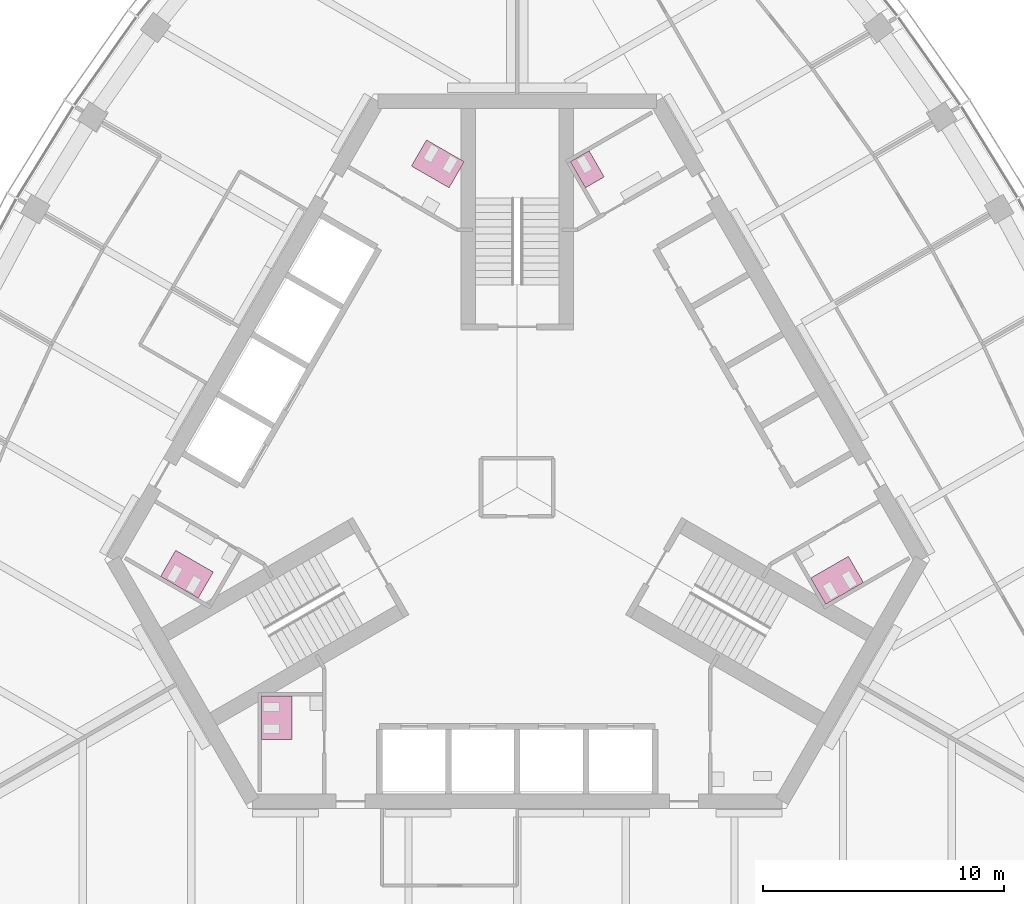
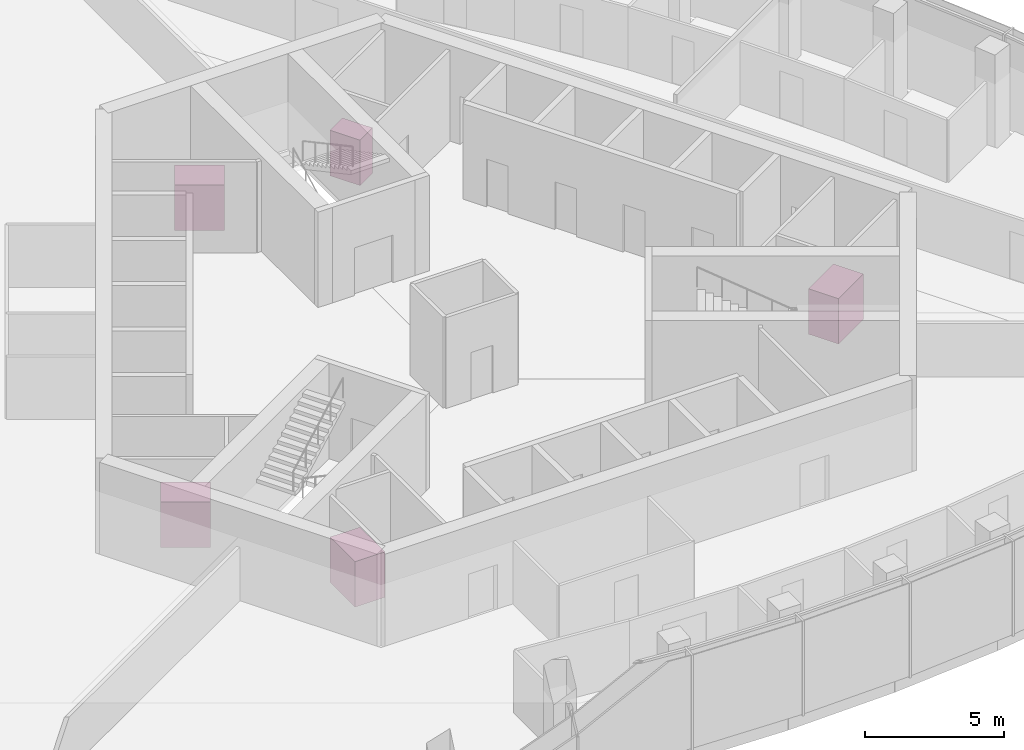
# One storey, part 16 of 16: 5 furniture elements.
"""IFC4 building model written with IfcOpenShell, lengths in metres."""

from ifc_helpers import new_model, si_unit, direction, frame, origin, place, context, subcontext, project, spatial, polyline, outline, extrude, material, type_object, element, save


model = new_model("IFC4")

# Units and contexts
model_context = context("Model", 3, precision=1e-05, world=origin(), true_north=direction((0.0, 1.0)))
body_context = subcontext(model_context, "Body", "Model", "MODEL_VIEW")
ifc_project = project(units=[si_unit("LENGTHUNIT", "METRE"), si_unit("AREAUNIT", "SQUARE_METRE"), si_unit("VOLUMEUNIT", "CUBIC_METRE"), si_unit("PLANEANGLEUNIT", "RADIAN"), si_unit("MASSUNIT", "GRAM", prefix="KILO")], contexts=[model_context])

# Site, building, storey
site_placement = place(None, origin())
site = spatial("IfcSite", under=ifc_project, at=site_placement, CompositionType="ELEMENT")
building_placement = place(site_placement, origin())
building = spatial("IfcBuilding", under=site, at=building_placement, Name="Trefoil Bronze Tower", CompositionType="ELEMENT")
storey_placement = place(building_placement, frame((0.0, 0.0, 301.5)))
storey = spatial("IfcBuildingStorey", under=building, at=storey_placement, Name="L69", CompositionType="ELEMENT", Elevation=301.5)

# Furniture
ifc_material_1 = material(Name="Compact laminate cubicles", Category="plastic")
furniture_type_1 = type_object("IfcFurnitureType", Name="WC cubicle range 1 cubicles", AssemblyPlace="FACTORY", PredefinedType="USERDEFINED", material=ifc_material_1)
furniture_1_placement = place(storey_placement, origin())
element("IfcFurniture", 1, at=furniture_1_placement, inside=storey, type_object=furniture_type_1, Name="WC cubicle range WC (men) L69", ObjectType="WC cubicle range", PredefinedType="USERDEFINED", context=body_context, shape_type="SweptSolid", body=[
    extrude(outline(polyline([(2.82373046875, 12.409423828125), (2.19873046875, 13.491943359375), (2.97802734375, 13.94189453125), (3.60302734375, 12.859375), (2.82373046875, 12.409423828125)])), origin(), (0.0, 0.0, 1.0), 2.0),
])
ifc_material_2 = material(Name="Compact laminate cubicles", Category="plastic")
furniture_type_2 = type_object("IfcFurnitureType", Name="WC cubicle range 2 cubicles", AssemblyPlace="FACTORY", PredefinedType="USERDEFINED", material=ifc_material_2)
furniture_2_placement = place(storey_placement, origin())
element("IfcFurniture", 2, at=furniture_2_placement, inside=storey, type_object=furniture_type_2, Name="WC cubicle range WC (women) L69", ObjectType="WC cubicle range", PredefinedType="USERDEFINED", context=body_context, shape_type="SweptSolid", body=[
    extrude(outline(polyline([(12.15869140625, -3.75927734375), (12.78369140625, -4.841796875), (14.342529296875, -3.94189453125), (13.717529296875, -2.859375), (12.15869140625, -3.75927734375)])), origin(), (0.0, 0.0, 1.0), 2.0),
])
furniture_3_placement = place(storey_placement, origin())
element("IfcFurniture", 3, at=furniture_3_placement, inside=storey, type_object=furniture_type_2, Name="WC cubicle range WC (women) L69", ObjectType="WC cubicle range", PredefinedType="USERDEFINED", context=body_context, shape_type="SweptSolid", body=[
    extrude(outline(polyline([(-2.82373046875, 12.409423828125), (-2.19873046875, 13.491943359375), (-3.757568359375, 14.391845703125), (-4.382568359375, 13.309326171875), (-2.82373046875, 12.409423828125)])), origin(), (0.0, 0.0, 1.0), 2.0),
])
furniture_4_placement = place(storey_placement, origin())
element("IfcFurniture", 4, at=furniture_4_placement, inside=storey, type_object=furniture_type_2, Name="WC cubicle range WC (men) L69", ObjectType="WC cubicle range", PredefinedType="USERDEFINED", context=body_context, shape_type="SweptSolid", body=[
    extrude(outline(polyline([(-12.591552734375, -3.50927734375), (-13.216552734375, -4.591796875), (-14.775390625, -3.69189453125), (-14.150390625, -2.609375), (-12.591552734375, -3.50927734375)])), origin(), (0.0, 0.0, 1.0), 2.0),
])
furniture_5_placement = place(storey_placement, origin())
element("IfcFurniture", 5, at=furniture_5_placement, inside=storey, type_object=furniture_type_2, Name="WC cubicle range WC (women) L69", ObjectType="WC cubicle range", PredefinedType="USERDEFINED", context=body_context, shape_type="SweptSolid", body=[
    extrude(outline(polyline([(-9.3349609375, -8.64990234375), (-10.5849609375, -8.64990234375), (-10.5849609375, -10.449951171875), (-9.3349609375, -10.449951171875), (-9.3349609375, -8.64990234375)])), origin(), (0.0, 0.0, 1.0), 2.0),
])

save(model, "model.ifc")
